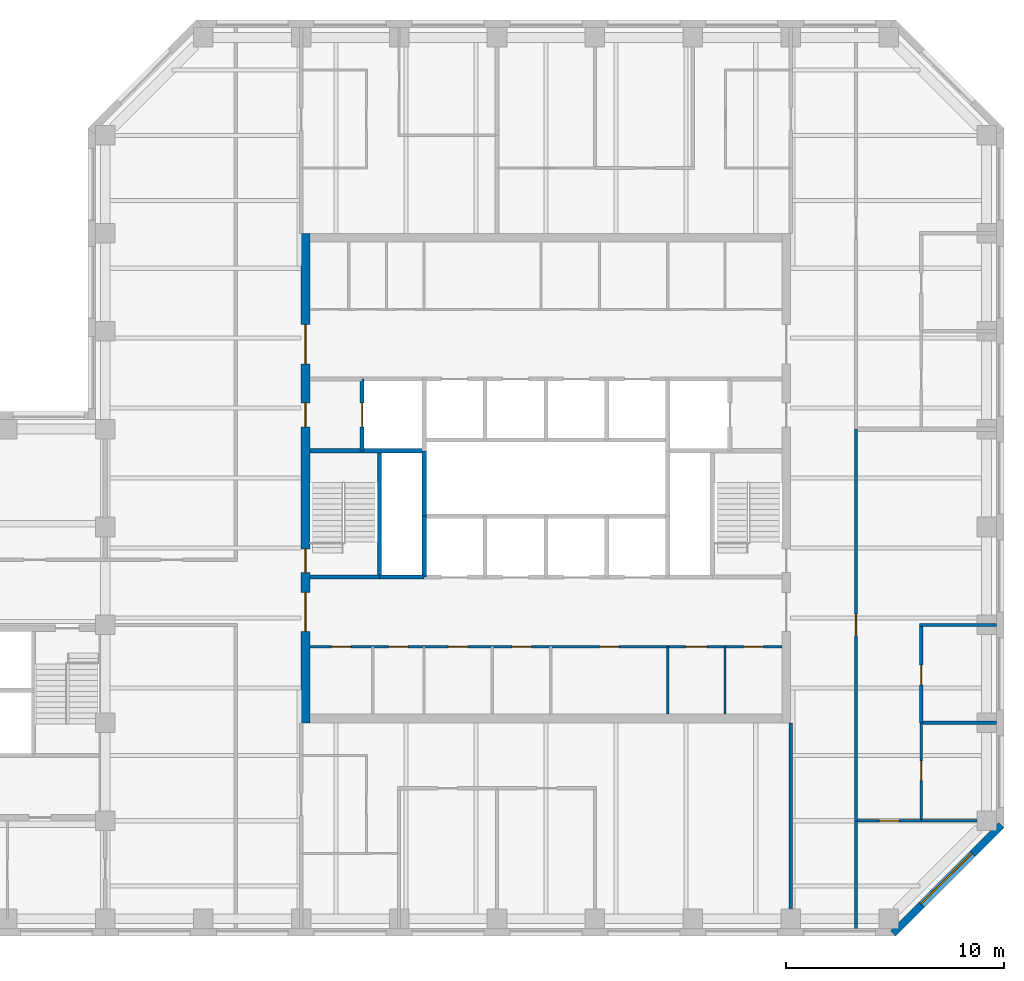
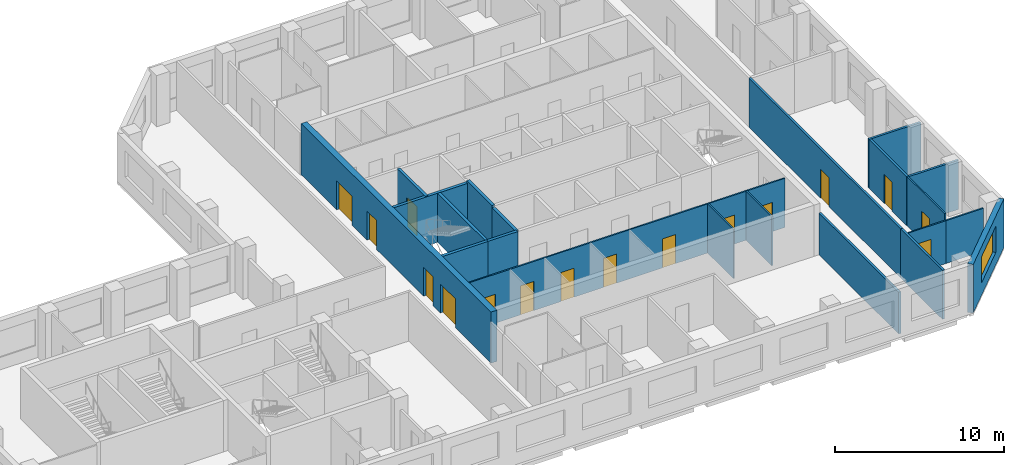
# One storey, part 5 of 9: 21 walls, 16 doors, 1 window, 17 openings.
"""IFC4 building model written with IfcOpenShell, lengths in metres."""

from ifc_helpers import new_model, si_unit, direction, frame, frame_2d, origin, place, context, subcontext, project, spatial, rectangle, extrude, material, layer, layer_set, constituent, constituent_set, type_object, element, fill, save


model = new_model("IFC4")

# Units and contexts
model_context = context("Model", 3, precision=1e-05, world=origin(), true_north=direction((0.0, 1.0)))
body_context = subcontext(model_context, "Body", "Model", "MODEL_VIEW")
ifc_project = project(units=[si_unit("LENGTHUNIT", "METRE"), si_unit("AREAUNIT", "SQUARE_METRE"), si_unit("VOLUMEUNIT", "CUBIC_METRE"), si_unit("PLANEANGLEUNIT", "RADIAN"), si_unit("MASSUNIT", "GRAM", prefix="KILO")], contexts=[model_context])

# Site, building, storey
site_placement = place(None, origin())
site = spatial("IfcSite", under=ifc_project, at=site_placement, CompositionType="ELEMENT")
building_placement = place(site_placement, origin())
building = spatial("IfcBuilding", under=site, at=building_placement, Name="Quoin Convention Tower", CompositionType="ELEMENT")
storey_placement = place(building_placement, frame((0.0, 0.0, 248.89990234375)))
storey = spatial("IfcBuildingStorey", under=building, at=storey_placement, Name="L65", CompositionType="ELEMENT", Elevation=248.89990234375)

# Walls
ifc_material_1 = material(Name="Plasterboard")
ifc_layer_1 = layer(ifc_material_1, 0.012451171875, Name="Finish")
ifc_material_2 = material(Name="Steel stud framing", Category="steel")
ifc_layer_2 = layer(ifc_material_2, 0.125, Name="Structure")
ifc_layer_3 = layer(ifc_material_1, 0.012451171875, Name="Finish")
ifc_layer_set_1 = layer_set([ifc_layer_1, ifc_layer_2, ifc_layer_3], Name="Steel stud framing")
wall_type_1 = type_object("IfcWallType", Name="Acoustic partition 150", PredefinedType="PARTITIONING", material=ifc_layer_set_1)
wall_1_placement = place(storey_placement, frame((73.574951171875, 49.5, 0.0), z_axis=(0.0, 0.0, 1.0), x_axis=(1.0, 0.0, 0.0)))
element("IfcWall", 1, at=wall_1_placement, inside=storey, type_object=wall_type_1, Name="pw-L65-013", PredefinedType="PARTITIONING", context=body_context, shape_type="SweptSolid", body=[
    extrude(rectangle(XDim=3.375, YDim=0.14990234375, at=frame_2d((1.6875, 0.0))), origin(), (0.0, 0.0, 1.0), 3.550048828125),
])
wall_2_placement = place(storey_placement, frame((73.425048828125, 54.0, 0.0), z_axis=(0.0, 0.0, 1.0), x_axis=(1.0, 0.0, 0.0)))
element("IfcWall", 2, at=wall_2_placement, inside=storey, type_object=wall_type_1, Name="pw-L65-017", PredefinedType="PARTITIONING", context=body_context, shape_type="SweptSolid", body=[
    extrude(rectangle(XDim=3.52490234375, YDim=0.14990234375, at=frame_2d((1.762451171875, 0.0))), origin(), (0.0, 0.0, 1.0), 3.550048828125),
])

# Wall, opening, door
wall_3_placement = place(storey_placement, frame((73.5, 49.5, 0.0), z_axis=(0.0, 0.0, 1.0), x_axis=(0.0, 1.0, 0.0)))
wall_3 = element("IfcWall", 3, at=wall_3_placement, inside=storey, type_object=wall_type_1, Name="pw-L65-054", PredefinedType="PARTITIONING", context=body_context, shape_type="SweptSolid", body=[
    extrude(rectangle(XDim=4.425048828125, YDim=0.14990234375, at=frame_2d((2.21240234375, 0.0))), origin(), (0.0, 0.0, 1.0), 3.550048828125),
])
opening_1_placement = place(wall_3_placement, frame((1.75, 0.0, 0.0)))
opening_1 = element("IfcOpeningElement", 4, at=opening_1_placement, cuts=wall_3, Name="Opening DOH12-14", PredefinedType="OPENING", context=body_context, shape_type="SweptSolid", body=[
    extrude(rectangle(XDim=0.89990234375, YDim=2.10009765625, at=frame_2d((0.449951171875, 1.050048828125))), frame((0.0, 0.0849609375, 0.0), z_axis=(0.0, -1.0, 0.0), x_axis=(1.0, 0.0, 0.0)), (0.0, 0.0, 1.0), 0.169921875),
])
ifc_material_3 = material(Name="Steel door leaf", Category="steel")
door_type_1 = type_object("IfcDoorType", Name="Office door 900 x 2100", OperationType="SINGLE_SWING_RIGHT", PredefinedType="DOOR", material=ifc_material_3)
door_1_placement = place(opening_1_placement, origin())
door_1 = element("IfcDoor", 5, at=door_1_placement, inside=storey, type_object=door_type_1, Name="dr-L65-26", OperationType="SINGLE_SWING_RIGHT", OverallHeight=2.10009765625, OverallWidth=0.89990234375, PredefinedType="DOOR", context=body_context, shape_type="SweptSolid", body=[
    extrude(rectangle(XDim=0.89990234375, YDim=2.10009765625, at=frame_2d((0.449951171875, 1.050048828125))), frame((0.0, 0.02490234375, 0.0), z_axis=(0.0, -1.0, 0.0), x_axis=(1.0, 0.0, 0.0)), (0.0, 0.0, 1.0), 0.050048828125),
])
fill(opening_1, door_1)

# Wall, opening, window
ifc_material_4 = material(Name="Brick masonry", Category="masonry")
ifc_layer_4 = layer(ifc_material_4, 0.35009765625)
ifc_layer_set_2 = layer_set([ifc_layer_4], Name="Brick masonry")
wall_type_2 = type_object("IfcWallType", Name="Brick facade wall", PredefinedType="STANDARD", material=ifc_layer_set_2)
wall_4_placement = place(storey_placement, frame((72.20751953125, 39.82373046875, 0.0), z_axis=(0.0, 0.0, 1.0), x_axis=(0.707106781187, 0.707106781187, 0.0)))
wall_4 = element("IfcWall", 6, at=wall_4_placement, inside=storey, type_object=wall_type_2, Name="fw-L65-72000_40500", PredefinedType="STANDARD", context=body_context, shape_type="SweptSolid", body=[
    extrude(rectangle(XDim=7.02685546875, YDim=0.35009765625, at=frame_2d((3.513427734375, 0.0))), origin(), (0.0, 0.0, 1.0), 3.525146484375),
])
opening_2_placement = place(wall_4_placement, frame((1.86328125, 0.0, 0.89990234375)))
opening_2 = element("IfcOpeningElement", 7, at=opening_2_placement, cuts=wall_4, Name="Opening W-02", PredefinedType="OPENING", context=body_context, shape_type="SweptSolid", body=[
    extrude(rectangle(XDim=3.300048828125, YDim=1.89990234375, at=frame_2d((1.64990234375, 0.949951171875))), frame((0.0, 0.18505859375, 0.0), z_axis=(0.0, -1.0, 0.0), x_axis=(1.0, 0.0, 0.0)), (0.0, 0.0, 1.0), 0.3701171875),
])
ifc_material_5 = material(Name="Aluminium", Category="aluminium")
ifc_constituent_1 = constituent(ifc_material_5, Name="Frame")
ifc_material_6 = material(Name="Insulated glass", Category="glass")
ifc_constituent_2 = constituent(ifc_material_6, Name="Glazing")
ifc_constituent_set = constituent_set(constituents=[ifc_constituent_1, ifc_constituent_2], Name="Aluminium")
window_type = type_object("IfcWindowType", Name="Office window", PartitioningType="DOUBLE_PANEL_VERTICAL", PredefinedType="WINDOW", material=ifc_constituent_set)
window_placement = place(opening_2_placement, origin())
window = element("IfcWindow", 8, at=window_placement, inside=storey, type_object=window_type, Name="win-L65-74692_42308", OverallHeight=1.89990234375, OverallWidth=3.300048828125, PartitioningType="SINGLE_PANEL", PredefinedType="WINDOW", context=body_context, shape_type="SweptSolid", body=[
    extrude(rectangle(XDim=3.300048828125, YDim=1.89990234375, at=frame_2d((1.64990234375, 0.949951171875))), frame((0.0, 0.0849609375, 0.0), z_axis=(0.0, -1.0, 0.0), x_axis=(1.0, 0.0, 0.0)), (0.0, 0.0, 1.0), 0.06005859375),
])
fill(opening_2, window)

# Wall, openings, doors
ifc_layer_5 = layer(ifc_material_1, 0.012451171875, Name="Finish")
ifc_layer_6 = layer(ifc_material_2, 0.074951171875, Name="Structure")
ifc_layer_7 = layer(ifc_material_1, 0.012451171875, Name="Finish")
ifc_layer_set_3 = layer_set([ifc_layer_5, ifc_layer_6, ifc_layer_7], Name="Steel stud framing")
wall_type_3 = type_object("IfcWallType", Name="Core partition wall", PredefinedType="PARTITIONING", material=ifc_layer_set_3)
wall_5_placement = place(storey_placement, frame((45.39990234375, 53.0, 0.0), z_axis=(0.0, 0.0, 1.0), x_axis=(1.0, 0.0, 0.0)))
wall_5 = element("IfcWall", 9, at=wall_5_placement, inside=storey, type_object=wall_type_3, Name="cr-C1-L65-h3500_400", PredefinedType="PARTITIONING", context=body_context, shape_type="SweptSolid", body=[
    extrude(rectangle(XDim=21.7001953125, YDim=0.10009765625, at=frame_2d((10.85009765625, 0.0))), origin(), (0.0, 0.0, 1.0), 3.550048828125),
])
opening_3_placement = place(wall_5_placement, frame((19.9375, 0.0, 0.0)))
opening_3 = element("IfcOpeningElement", 10, at=opening_3_placement, cuts=wall_5, Name="Opening DCV4-33", PredefinedType="OPENING", context=body_context, shape_type="SweptSolid", body=[
    extrude(rectangle(XDim=0.89990234375, YDim=2.10009765625, at=frame_2d((0.449951171875, 1.050048828125))), frame((0.0, 0.06005859375, 0.0), z_axis=(0.0, -1.0, 0.0), x_axis=(1.0, 0.0, 0.0)), (0.0, 0.0, 1.0), 0.1201171875),
])
opening_4_placement = place(wall_5_placement, frame((17.262451171875, 0.0, 0.0)))
opening_4 = element("IfcOpeningElement", 11, at=opening_4_placement, cuts=wall_5, Name="Opening DCV4-32", PredefinedType="OPENING", context=body_context, shape_type="SweptSolid", body=[
    extrude(rectangle(XDim=1.0, YDim=2.10009765625, at=frame_2d((0.5, 1.050048828125))), frame((0.0, 0.06005859375, 0.0), z_axis=(0.0, -1.0, 0.0), x_axis=(1.0, 0.0, 0.0)), (0.0, 0.0, 1.0), 0.1201171875),
])
opening_5_placement = place(wall_5_placement, frame((0.993896484375, 0.0, 0.0)))
opening_5 = element("IfcOpeningElement", 12, at=opening_5_placement, cuts=wall_5, Name="Opening DCV4-25", PredefinedType="OPENING", context=body_context, shape_type="SweptSolid", body=[
    extrude(rectangle(XDim=0.89990234375, YDim=2.10009765625, at=frame_2d((0.449951171875, 1.050048828125))), frame((0.0, 0.06005859375, 0.0), z_axis=(0.0, -1.0, 0.0), x_axis=(1.0, 0.0, 0.0)), (0.0, 0.0, 1.0), 0.1201171875),
])
opening_6_placement = place(wall_5_placement, frame((3.618896484375, 0.0, 0.0)))
opening_6 = element("IfcOpeningElement", 13, at=opening_6_placement, cuts=wall_5, Name="Opening DCV4-26", PredefinedType="OPENING", context=body_context, shape_type="SweptSolid", body=[
    extrude(rectangle(XDim=0.89990234375, YDim=2.10009765625, at=frame_2d((0.449951171875, 1.050048828125))), frame((0.0, 0.06005859375, 0.0), z_axis=(0.0, -1.0, 0.0), x_axis=(1.0, 0.0, 0.0)), (0.0, 0.0, 1.0), 0.1201171875),
])
opening_7_placement = place(wall_5_placement, frame((6.367919921875, 0.0, 0.0)))
opening_7 = element("IfcOpeningElement", 14, at=opening_7_placement, cuts=wall_5, Name="Opening DCV4-27", PredefinedType="OPENING", context=body_context, shape_type="SweptSolid", body=[
    extrude(rectangle(XDim=0.89990234375, YDim=2.10009765625, at=frame_2d((0.449951171875, 1.050048828125))), frame((0.0, 0.06005859375, 0.0), z_axis=(0.0, -1.0, 0.0), x_axis=(1.0, 0.0, 0.0)), (0.0, 0.0, 1.0), 0.1201171875),
])
opening_8_placement = place(wall_5_placement, frame((9.280029296875, 0.0, 0.0)))
opening_8 = element("IfcOpeningElement", 15, at=opening_8_placement, cuts=wall_5, Name="Opening DCV4-29", PredefinedType="OPENING", context=body_context, shape_type="SweptSolid", body=[
    extrude(rectangle(XDim=0.89990234375, YDim=2.10009765625, at=frame_2d((0.449951171875, 1.050048828125))), frame((0.0, 0.06005859375, 0.0), z_axis=(0.0, -1.0, 0.0), x_axis=(1.0, 0.0, 0.0)), (0.0, 0.0, 1.0), 0.1201171875),
])
opening_9_placement = place(wall_5_placement, frame((13.31201171875, 0.0, 0.0)))
opening_9 = element("IfcOpeningElement", 16, at=opening_9_placement, cuts=wall_5, Name="Opening DCV4-30", PredefinedType="OPENING", context=body_context, shape_type="SweptSolid", body=[
    extrude(rectangle(XDim=0.89990234375, YDim=2.10009765625, at=frame_2d((0.449951171875, 1.050048828125))), frame((0.0, 0.06005859375, 0.0), z_axis=(0.0, -1.0, 0.0), x_axis=(1.0, 0.0, 0.0)), (0.0, 0.0, 1.0), 0.1201171875),
])
door_type_2 = type_object("IfcDoorType", Name="Core room door 1000 x 2100", OperationType="SINGLE_SWING_LEFT", PredefinedType="DOOR", material=ifc_material_3)
door_2_placement = place(opening_4_placement, frame((1.0, 0.0, 0.0), z_axis=(0.0, 0.0, 1.0), x_axis=(-1.0, 0.0, 0.0)))
door_2 = element("IfcDoor", 17, at=door_2_placement, inside=storey, type_object=door_type_2, Name="cd-C1-L65-CSE1-lobA-CD6513", OperationType="SINGLE_SWING_LEFT", OverallHeight=2.10009765625, OverallWidth=1.0, PredefinedType="DOOR", context=body_context, shape_type="SweptSolid", body=[
    extrude(rectangle(XDim=1.0, YDim=2.10009765625, at=frame_2d((0.5, 1.050048828125))), frame((0.0, 0.02490234375, 0.0), z_axis=(0.0, -1.0, 0.0), x_axis=(1.0, 0.0, 0.0)), (0.0, 0.0, 1.0), 0.050048828125),
])
fill(opening_4, door_2)
door_type_3 = type_object("IfcDoorType", Name="Core room door 900 x 2100", OperationType="SINGLE_SWING_LEFT", PredefinedType="DOOR", material=ifc_material_3)
door_3_placement = place(opening_3_placement, frame((0.89990234375, 0.0, 0.0), z_axis=(0.0, 0.0, 1.0), x_axis=(-1.0, 0.0, 0.0)))
door_3 = element("IfcDoor", 18, at=door_3_placement, inside=storey, type_object=door_type_3, Name="cd-C1-L65-CSE0-lobA-CD6512", OperationType="SINGLE_SWING_LEFT", OverallHeight=2.10009765625, OverallWidth=0.89990234375, PredefinedType="DOOR", context=body_context, shape_type="SweptSolid", body=[
    extrude(rectangle(XDim=0.89990234375, YDim=2.10009765625, at=frame_2d((0.449951171875, 1.050048828125))), frame((0.0, 0.02490234375, 0.0), z_axis=(0.0, -1.0, 0.0), x_axis=(1.0, 0.0, 0.0)), (0.0, 0.0, 1.0), 0.050048828125),
])
fill(opening_3, door_3)
door_4_placement = place(opening_5_placement, frame((0.89990234375, 0.0, 0.0), z_axis=(0.0, 0.0, 1.0), x_axis=(-1.0, 0.0, 0.0)))
door_4 = element("IfcDoor", 19, at=door_4_placement, inside=storey, type_object=door_type_3, Name="cd-C1-L65-CSW0-lobA-CD6514", OperationType="SINGLE_SWING_LEFT", OverallHeight=2.10009765625, OverallWidth=0.89990234375, PredefinedType="DOOR", context=body_context, shape_type="SweptSolid", body=[
    extrude(rectangle(XDim=0.89990234375, YDim=2.10009765625, at=frame_2d((0.449951171875, 1.050048828125))), frame((0.0, 0.02490234375, 0.0), z_axis=(0.0, -1.0, 0.0), x_axis=(1.0, 0.0, 0.0)), (0.0, 0.0, 1.0), 0.050048828125),
])
fill(opening_5, door_4)
door_5_placement = place(opening_6_placement, frame((0.89990234375, 0.0, 0.0), z_axis=(0.0, 0.0, 1.0), x_axis=(-1.0, 0.0, 0.0)))
door_5 = element("IfcDoor", 20, at=door_5_placement, inside=storey, type_object=door_type_3, Name="cd-C1-L65-CSW1-lobA-CD6515", OperationType="SINGLE_SWING_LEFT", OverallHeight=2.10009765625, OverallWidth=0.89990234375, PredefinedType="DOOR", context=body_context, shape_type="SweptSolid", body=[
    extrude(rectangle(XDim=0.89990234375, YDim=2.10009765625, at=frame_2d((0.449951171875, 1.050048828125))), frame((0.0, 0.02490234375, 0.0), z_axis=(0.0, -1.0, 0.0), x_axis=(1.0, 0.0, 0.0)), (0.0, 0.0, 1.0), 0.050048828125),
])
fill(opening_6, door_5)
door_6_placement = place(opening_7_placement, frame((0.89990234375, 0.0, 0.0), z_axis=(0.0, 0.0, 1.0), x_axis=(-1.0, 0.0, 0.0)))
door_6 = element("IfcDoor", 21, at=door_6_placement, inside=storey, type_object=door_type_3, Name="cd-C1-L65-F10-lobA-CD6516", OperationType="SINGLE_SWING_LEFT", OverallHeight=2.10009765625, OverallWidth=0.89990234375, PredefinedType="DOOR", context=body_context, shape_type="SweptSolid", body=[
    extrude(rectangle(XDim=0.89990234375, YDim=2.10009765625, at=frame_2d((0.449951171875, 1.050048828125))), frame((0.0, 0.02490234375, 0.0), z_axis=(0.0, -1.0, 0.0), x_axis=(1.0, 0.0, 0.0)), (0.0, 0.0, 1.0), 0.050048828125),
])
fill(opening_7, door_6)
door_7_placement = place(opening_8_placement, frame((0.89990234375, 0.0, 0.0), z_axis=(0.0, 0.0, 1.0), x_axis=(-1.0, 0.0, 0.0)))
door_7 = element("IfcDoor", 22, at=door_7_placement, inside=storey, type_object=door_type_3, Name="cd-C1-L65-F11-lobA-CD6517", OperationType="SINGLE_SWING_LEFT", OverallHeight=2.10009765625, OverallWidth=0.89990234375, PredefinedType="DOOR", context=body_context, shape_type="SweptSolid", body=[
    extrude(rectangle(XDim=0.89990234375, YDim=2.10009765625, at=frame_2d((0.449951171875, 1.050048828125))), frame((0.0, 0.02490234375, 0.0), z_axis=(0.0, -1.0, 0.0), x_axis=(1.0, 0.0, 0.0)), (0.0, 0.0, 1.0), 0.050048828125),
])
fill(opening_8, door_7)
door_8_placement = place(opening_9_placement, frame((0.89990234375, 0.0, 0.0), z_axis=(0.0, 0.0, 1.0), x_axis=(-1.0, 0.0, 0.0)))
door_8 = element("IfcDoor", 23, at=door_8_placement, inside=storey, type_object=door_type_3, Name="cd-C1-L65-F12-lobA-CD6518", OperationType="SINGLE_SWING_LEFT", OverallHeight=2.10009765625, OverallWidth=0.89990234375, PredefinedType="DOOR", context=body_context, shape_type="SweptSolid", body=[
    extrude(rectangle(XDim=0.89990234375, YDim=2.10009765625, at=frame_2d((0.449951171875, 1.050048828125))), frame((0.0, 0.02490234375, 0.0), z_axis=(0.0, -1.0, 0.0), x_axis=(1.0, 0.0, 0.0)), (0.0, 0.0, 1.0), 0.050048828125),
])
fill(opening_9, door_8)

# Walls
for number, where, z_axis, x_axis, name in (
    (24, (61.85009765625, 49.89990234375, 0.0), (0.0, 0.0, 1.0), (0.0, 1.0, 0.0), "cr-C1-L65-v16850_400"),
    (25, (64.47509765625, 49.89990234375, 0.0), (0.0, 0.0, 1.0), (0.0, 1.0, 0.0), "cr-C1-L65-v19475_400"),
):
    element("IfcWall", number, at=place(storey_placement, frame(where, z_axis=z_axis, x_axis=x_axis)), inside=storey, type_object=wall_type_3, Name=name, PredefinedType="PARTITIONING", context=body_context, shape_type="SweptSolid", body=[
        extrude(rectangle(XDim=3.10009765625, YDim=0.10009765625, at=frame_2d((1.550048828125, 0.0))), origin(), (0.0, 0.0, 1.0), 3.550048828125),
    ])
ifc_material_7 = material(Name="Concrete C50", Category="concrete")
ifc_layer_8 = layer(ifc_material_7, 0.199951171875)
ifc_layer_set_4 = layer_set([ifc_layer_8], Name="Concrete C50")
wall_type_4 = type_object("IfcWallType", Name="Core shaft wall", PredefinedType="SOLIDWALL", material=ifc_layer_set_4)
wall_6_placement = place(storey_placement, frame((48.60009765625, 56.199951171875, 0.0), z_axis=(0.0, 0.0, 1.0), x_axis=(1.0, 0.0, 0.0)))
element("IfcWall", 26, at=wall_6_placement, inside=storey, type_object=wall_type_4, Name="cr-C1-L65-h6700_3600", PredefinedType="SOLIDWALL", context=body_context, shape_type="SweptSolid", body=[
    extrude(rectangle(XDim=2.0498046875, YDim=0.199951171875, at=frame_2d((1.02490234375, 0.0))), origin(), (0.0, 0.0, 1.0), 3.550048828125),
])
wall_7_placement = place(storey_placement, frame((45.39990234375, 56.199951171875, 0.0), z_axis=(0.0, 0.0, 1.0), x_axis=(1.0, 0.0, 0.0)))
element("IfcWall", 27, at=wall_7_placement, inside=storey, type_object=wall_type_4, Name="cr-C1-L65-h6700_400", PredefinedType="SOLIDWALL", context=body_context, shape_type="SweptSolid", body=[
    extrude(rectangle(XDim=3.2001953125, YDim=0.199951171875, at=frame_2d((1.60009765625, 0.0))), origin(), (0.0, 0.0, 1.0), 3.550048828125),
])
wall_8_placement = place(storey_placement, frame((45.39990234375, 62.0, 0.0), z_axis=(0.0, 0.0, 1.0), x_axis=(1.0, 0.0, 0.0)))
element("IfcWall", 28, at=wall_8_placement, inside=storey, type_object=wall_type_4, Name="cr-C1-L65-h12500_400", PredefinedType="SOLIDWALL", context=body_context, shape_type="SweptSolid", body=[
    extrude(rectangle(XDim=5.25, YDim=0.199951171875, at=frame_2d((2.625, 0.0))), origin(), (0.0, 0.0, 1.0), 3.550048828125),
])

# Wall, opening, door
wall_9_placement = place(storey_placement, frame((47.800048828125, 62.0, 0.0), z_axis=(0.0, 0.0, 1.0), x_axis=(0.0, 1.0, 0.0)))
wall_9 = element("IfcWall", 29, at=wall_9_placement, inside=storey, type_object=wall_type_4, Name="cr-C1-L65-v2800_12500", PredefinedType="SOLIDWALL", context=body_context, shape_type="SweptSolid", body=[
    extrude(rectangle(XDim=3.300048828125, YDim=0.199951171875, at=frame_2d((1.64990234375, 0.0))), origin(), (0.0, 0.0, 1.0), 3.550048828125),
])
opening_10_placement = place(wall_9_placement, frame((1.10009765625, 0.0, 0.0)))
opening_10 = element("IfcOpeningElement", 30, at=opening_10_placement, cuts=wall_9, Name="Opening LDFL1", PredefinedType="OPENING", context=body_context, shape_type="SweptSolid", body=[
    extrude(rectangle(XDim=1.10009765625, YDim=2.10009765625, at=frame_2d((0.550048828125, 1.050048828125))), frame((0.0, 0.10986328125, 0.0), z_axis=(0.0, -1.0, 0.0), x_axis=(1.0, 0.0, 0.0)), (0.0, 0.0, 1.0), 0.219970703125),
])
door_type_4 = type_object("IfcDoorType", Name="Lift landing door 1100 x 2100", OperationType="DOUBLE_DOOR_SLIDING", PredefinedType="DOOR", material=ifc_material_3)
door_9_placement = place(opening_10_placement, origin())
door_9 = element("IfcDoor", 31, at=door_9_placement, inside=storey, type_object=door_type_4, Name="cd-C1-L65-FLW-FFW-LDFL1", OperationType="DOUBLE_DOOR_SLIDING", OverallHeight=2.10009765625, OverallWidth=1.10009765625, PredefinedType="DOOR", context=body_context, shape_type="SweptSolid", body=[
    extrude(rectangle(XDim=1.10009765625, YDim=2.10009765625, at=frame_2d((0.550048828125, 1.050048828125))), frame((0.0, 0.02490234375, 0.0), z_axis=(0.0, -1.0, 0.0), x_axis=(1.0, 0.0, 0.0)), (0.0, 0.0, 1.0), 0.050048828125),
])
fill(opening_10, door_9)

# Walls
wall_10_placement = place(storey_placement, frame((48.60009765625, 56.199951171875, 0.0), z_axis=(0.0, 0.0, 1.0), x_axis=(0.0, 1.0, 0.0)))
element("IfcWall", 32, at=wall_10_placement, inside=storey, type_object=wall_type_4, Name="cr-C1-L65-v3600_6700", PredefinedType="SOLIDWALL", context=body_context, shape_type="SweptSolid", body=[
    extrude(rectangle(XDim=5.800048828125, YDim=0.199951171875, at=frame_2d((2.89990234375, 0.0))), origin(), (0.0, 0.0, 1.0), 3.550048828125),
])
wall_11_placement = place(storey_placement, frame((50.64990234375, 56.199951171875, 0.0), z_axis=(0.0, 0.0, 1.0), x_axis=(0.0, 1.0, 0.0)))
element("IfcWall", 33, at=wall_11_placement, inside=storey, type_object=wall_type_4, Name="cr-C1-L65-v5650_6700", PredefinedType="SOLIDWALL", context=body_context, shape_type="SweptSolid", body=[
    extrude(rectangle(XDim=2.800048828125, YDim=0.199951171875, at=frame_2d((1.39990234375, 0.0))), origin(), (0.0, 0.0, 1.0), 3.550048828125),
])
ifc_layer_9 = layer(ifc_material_7, 0.199951171875)
ifc_layer_set_5 = layer_set([ifc_layer_9], Name="Concrete C50")
wall_type_5 = type_object("IfcWallType", Name="Core shaft wall to the floor level over", PredefinedType="SOLIDWALL", material=ifc_layer_set_5)
wall_12_placement = place(storey_placement, frame((50.64990234375, 59.0, 0.0), z_axis=(0.0, 0.0, 1.0), x_axis=(0.0, 1.0, 0.0)))
element("IfcWall", 34, at=wall_12_placement, inside=storey, type_object=wall_type_5, Name="cr-C1-L65-v5650_9500", PredefinedType="SOLIDWALL", context=body_context, shape_type="SweptSolid", body=[
    extrude(rectangle(XDim=3.0, YDim=0.199951171875, at=frame_2d((1.5, 0.0))), origin(), (0.0, 0.0, 1.0), 3.7001953125),
])
ifc_layer_10 = layer(ifc_material_1, 0.012451171875, Name="Finish")
ifc_layer_11 = layer(ifc_material_2, 0.125, Name="Structure")
ifc_layer_12 = layer(ifc_material_1, 0.012451171875, Name="Finish")
ifc_layer_set_6 = layer_set([ifc_layer_10, ifc_layer_11, ifc_layer_12], Name="Steel stud framing")
wall_type_6 = type_object("IfcWallType", Name="Corridor wall 150", PredefinedType="PARTITIONING", material=ifc_layer_set_6)
wall_13_placement = place(storey_placement, frame((70.5, 40.050048828125, 0.0), z_axis=(0.0, 0.0, 1.0), x_axis=(0.0, 1.0, 0.0)))
element("IfcWall", 35, at=wall_13_placement, inside=storey, type_object=wall_type_6, Name="pw-L65-040", PredefinedType="PARTITIONING", context=body_context, shape_type="SweptSolid", body=[
    extrude(rectangle(XDim=4.949951171875, YDim=0.14990234375, at=frame_2d((2.47509765625, 0.0))), origin(), (0.0, 0.0, 1.0), 3.550048828125),
])

# Wall, opening, door
wall_14_placement = place(storey_placement, frame((70.5, 45.0, 0.0), z_axis=(0.0, 0.0, 1.0), x_axis=(0.0, 1.0, 0.0)))
wall_14 = element("IfcWall", 36, at=wall_14_placement, inside=storey, type_object=wall_type_6, Name="pw-L65-047", PredefinedType="PARTITIONING", context=body_context, shape_type="SweptSolid", body=[
    extrude(rectangle(XDim=18.0, YDim=0.14990234375, at=frame_2d((9.0, 0.0))), origin(), (0.0, 0.0, 1.0), 3.550048828125),
])
opening_11_placement = place(wall_14_placement, frame((8.5, 0.0, 0.0)))
opening_11 = element("IfcOpeningElement", 37, at=opening_11_placement, cuts=wall_14, Name="Opening DOH12-12", PredefinedType="OPENING", context=body_context, shape_type="SweptSolid", body=[
    extrude(rectangle(XDim=1.0, YDim=2.10009765625, at=frame_2d((0.5, 1.050048828125))), frame((0.0, 0.0849609375, 0.0), z_axis=(0.0, -1.0, 0.0), x_axis=(1.0, 0.0, 0.0)), (0.0, 0.0, 1.0), 0.169921875),
])
door_type_5 = type_object("IfcDoorType", Name="Tenancy entrance door 1000 x 2100", OperationType="DOUBLE_DOOR_SINGLE_SWING", PredefinedType="DOOR", material=ifc_material_3)
door_10_placement = place(opening_11_placement, frame((1.0, 0.0, 0.0), z_axis=(0.0, 0.0, 1.0), x_axis=(-1.0, 0.0, 0.0)))
door_10 = element("IfcDoor", 38, at=door_10_placement, inside=storey, type_object=door_type_5, Name="dr-L65-23", OperationType="DOUBLE_DOOR_SINGLE_SWING", OverallHeight=2.10009765625, OverallWidth=1.0, PredefinedType="DOOR", context=body_context, shape_type="SweptSolid", body=[
    extrude(rectangle(XDim=1.0, YDim=2.10009765625, at=frame_2d((0.5, 1.050048828125))), frame((0.0, 0.02490234375, 0.0), z_axis=(0.0, -1.0, 0.0), x_axis=(1.0, 0.0, 0.0)), (0.0, 0.0, 1.0), 0.050048828125),
])
fill(opening_11, door_10)

# Wall
ifc_layer_13 = layer(ifc_material_1, 0.012451171875, Name="Finish")
ifc_layer_14 = layer(ifc_material_2, 0.125, Name="Structure")
ifc_layer_15 = layer(ifc_material_1, 0.012451171875, Name="Finish")
ifc_layer_set_7 = layer_set([ifc_layer_13, ifc_layer_14, ifc_layer_15], Name="Steel stud framing")
wall_type_7 = type_object("IfcWallType", Name="Corridor wall 150 under beam 528", PredefinedType="PARTITIONING", material=ifc_layer_set_7)
wall_15_placement = place(storey_placement, frame((67.5, 40.050048828125, 0.0), z_axis=(0.0, 0.0, 1.0), x_axis=(0.0, 1.0, 0.0)))
element("IfcWall", 39, at=wall_15_placement, inside=storey, type_object=wall_type_7, Name="pw-L65-039", PredefinedType="PARTITIONING", context=body_context, shape_type="SweptSolid", body=[
    extrude(rectangle(XDim=9.449951171875, YDim=0.14990234375, at=frame_2d((4.72509765625, 0.0))), origin(), (0.0, 0.0, 1.0), 3.022216796875),
])

# Wall, openings, doors
ifc_layer_16 = layer(ifc_material_7, 0.39990234375)
ifc_layer_set_8 = layer_set([ifc_layer_16], Name="Concrete C50")
wall_type_8 = type_object("IfcWallType", Name="RC CORE WALL 400 C50", PredefinedType="SHEAR", material=ifc_layer_set_8)
wall_16_placement = place(storey_placement, frame((45.199951171875, 49.5, 0.0), z_axis=(0.0, 0.0, 1.0), x_axis=(0.0, 1.0, 0.0)))
wall_16 = element("IfcWall", 40, at=wall_16_placement, inside=storey, type_object=wall_type_8, Name="cwl-C1-L65-W", PredefinedType="SHEAR", context=body_context, shape_type="SweptSolid", body=[
    extrude(rectangle(XDim=22.5, YDim=0.39990234375, at=frame_2d((11.25, 0.0))), origin(), (0.0, 0.0, 1.0), 3.7001953125),
])
opening_12_placement = place(wall_16_placement, frame((4.199951171875, 0.0, 0.0)))
opening_12 = element("IfcOpeningElement", 41, at=opening_12_placement, cuts=wall_16, Name="Opening DCV4-41", PredefinedType="OPENING", context=body_context, shape_type="SweptSolid", body=[
    extrude(rectangle(XDim=1.800048828125, YDim=2.10009765625, at=frame_2d((0.89990234375, 1.050048828125))), frame((0.0, 0.2099609375, 0.0), z_axis=(0.0, -1.0, 0.0), x_axis=(1.0, 0.0, 0.0)), (0.0, 0.0, 1.0), 0.419921875),
])
opening_13_placement = place(wall_16_placement, frame((6.89990234375, 0.0, 0.0)))
opening_13 = element("IfcOpeningElement", 42, at=opening_13_placement, cuts=wall_16, Name="Opening SD1", PredefinedType="OPENING", context=body_context, shape_type="SweptSolid", body=[
    extrude(rectangle(XDim=1.10009765625, YDim=2.10009765625, at=frame_2d((0.550048828125, 1.050048828125))), frame((0.0, 0.2099609375, 0.0), z_axis=(0.0, -1.0, 0.0), x_axis=(1.0, 0.0, 0.0)), (0.0, 0.0, 1.0), 0.419921875),
])
opening_14_placement = place(wall_16_placement, frame((13.60009765625, 0.0, 0.0)))
opening_14 = element("IfcOpeningElement", 43, at=opening_14_placement, cuts=wall_16, Name="Opening DCV4-40", PredefinedType="OPENING", context=body_context, shape_type="SweptSolid", body=[
    extrude(rectangle(XDim=1.10009765625, YDim=2.10009765625, at=frame_2d((0.550048828125, 1.050048828125))), frame((0.0, 0.2099609375, 0.0), z_axis=(0.0, -1.0, 0.0), x_axis=(1.0, 0.0, 0.0)), (0.0, 0.0, 1.0), 0.419921875),
])
opening_15_placement = place(wall_16_placement, frame((16.5, 0.0, 0.0)))
opening_15 = element("IfcOpeningElement", 44, at=opening_15_placement, cuts=wall_16, Name="Opening DCV4-41", PredefinedType="OPENING", context=body_context, shape_type="SweptSolid", body=[
    extrude(rectangle(XDim=1.800048828125, YDim=2.10009765625, at=frame_2d((0.89990234375, 1.050048828125))), frame((0.0, 0.2099609375, 0.0), z_axis=(0.0, -1.0, 0.0), x_axis=(1.0, 0.0, 0.0)), (0.0, 0.0, 1.0), 0.419921875),
])
door_type_6 = type_object("IfcDoorType", Name="Fire-fighting lobby door 1100 x 2100", OperationType="SINGLE_SWING_LEFT", PredefinedType="DOOR", material=ifc_material_3)
door_11_placement = place(opening_14_placement, frame((1.10009765625, 0.0, 0.0), z_axis=(0.0, 0.0, 1.0), x_axis=(-1.0, 0.0, 0.0)))
door_11 = element("IfcDoor", 45, at=door_11_placement, inside=storey, type_object=door_type_6, Name="cd-C1-L65-FFW-W", OperationType="SINGLE_SWING_LEFT", OverallHeight=2.10009765625, OverallWidth=1.10009765625, PredefinedType="DOOR", context=body_context, shape_type="SweptSolid", body=[
    extrude(rectangle(XDim=1.10009765625, YDim=2.10009765625, at=frame_2d((0.550048828125, 1.050048828125))), frame((0.0, 0.02490234375, 0.0), z_axis=(0.0, -1.0, 0.0), x_axis=(1.0, 0.0, 0.0)), (0.0, 0.0, 1.0), 0.050048828125),
])
fill(opening_14, door_11)
door_type_7 = type_object("IfcDoorType", Name="Lift lobby door 1800 x 2100", OperationType="SINGLE_SWING_LEFT", PredefinedType="DOOR", material=ifc_material_3)
door_12_placement = place(opening_12_placement, frame((1.800048828125, 0.0, 0.0), z_axis=(0.0, 0.0, 1.0), x_axis=(-1.0, 0.0, 0.0)))
door_12 = element("IfcDoor", 46, at=door_12_placement, inside=storey, type_object=door_type_7, Name="cd-C1-L65-lobA-W", OperationType="SINGLE_SWING_LEFT", OverallHeight=2.10009765625, OverallWidth=1.800048828125, PredefinedType="DOOR", context=body_context, shape_type="SweptSolid", body=[
    extrude(rectangle(XDim=1.800048828125, YDim=2.10009765625, at=frame_2d((0.89990234375, 1.050048828125))), frame((0.0, 0.02490234375, 0.0), z_axis=(0.0, -1.0, 0.0), x_axis=(1.0, 0.0, 0.0)), (0.0, 0.0, 1.0), 0.050048828125),
])
fill(opening_12, door_12)
door_13_placement = place(opening_15_placement, frame((1.800048828125, 0.0, 0.0), z_axis=(0.0, 0.0, 1.0), x_axis=(-1.0, 0.0, 0.0)))
door_13 = element("IfcDoor", 47, at=door_13_placement, inside=storey, type_object=door_type_7, Name="cd-C1-L65-lobB-W", OperationType="SINGLE_SWING_LEFT", OverallHeight=2.10009765625, OverallWidth=1.800048828125, PredefinedType="DOOR", context=body_context, shape_type="SweptSolid", body=[
    extrude(rectangle(XDim=1.800048828125, YDim=2.10009765625, at=frame_2d((0.89990234375, 1.050048828125))), frame((0.0, 0.02490234375, 0.0), z_axis=(0.0, -1.0, 0.0), x_axis=(1.0, 0.0, 0.0)), (0.0, 0.0, 1.0), 0.050048828125),
])
fill(opening_15, door_13)
door_type_8 = type_object("IfcDoorType", Name="Stair door 1100 x 2100", OperationType="SINGLE_SWING_RIGHT", PredefinedType="DOOR", material=ifc_material_3)
door_14_placement = place(opening_13_placement, frame((1.10009765625, 0.0, 0.0), z_axis=(0.0, 0.0, 1.0), x_axis=(-1.0, 0.0, 0.0)))
door_14 = element("IfcDoor", 48, at=door_14_placement, inside=storey, type_object=door_type_8, Name="cd-C1-L65-STW-W", OperationType="SINGLE_SWING_RIGHT", OverallHeight=2.10009765625, OverallWidth=1.10009765625, PredefinedType="DOOR", context=body_context, shape_type="SweptSolid", body=[
    extrude(rectangle(XDim=1.10009765625, YDim=2.10009765625, at=frame_2d((0.550048828125, 1.050048828125))), frame((0.0, 0.02490234375, 0.0), z_axis=(0.0, -1.0, 0.0), x_axis=(1.0, 0.0, 0.0)), (0.0, 0.0, 1.0), 0.050048828125),
])
fill(opening_13, door_14)

# Wall, opening, door
ifc_layer_17 = layer(ifc_material_1, 0.012451171875, Name="Finish")
ifc_layer_18 = layer(ifc_material_2, 0.074951171875, Name="Structure")
ifc_layer_19 = layer(ifc_material_1, 0.012451171875, Name="Finish")
ifc_layer_set_9 = layer_set([ifc_layer_17, ifc_layer_18, ifc_layer_19], Name="Steel stud framing")
wall_type_9 = type_object("IfcWallType", Name="Stud partition 100", PredefinedType="PARTITIONING", material=ifc_layer_set_9)
wall_17_placement = place(storey_placement, frame((73.5, 45.050048828125, 0.0), z_axis=(0.0, 0.0, 1.0), x_axis=(0.0, 1.0, 0.0)))
wall_17 = element("IfcWall", 49, at=wall_17_placement, inside=storey, type_object=wall_type_9, Name="pw-L65-049", PredefinedType="PARTITIONING", context=body_context, shape_type="SweptSolid", body=[
    extrude(rectangle(XDim=4.449951171875, YDim=0.10009765625, at=frame_2d((2.22509765625, 0.0))), origin(), (0.0, 0.0, 1.0), 3.550048828125),
])
opening_16_placement = place(wall_17_placement, frame((1.800048828125, 0.0, 0.0)))
opening_16 = element("IfcOpeningElement", 50, at=opening_16_placement, cuts=wall_17, Name="Opening DOH12-13", PredefinedType="OPENING", context=body_context, shape_type="SweptSolid", body=[
    extrude(rectangle(XDim=0.89990234375, YDim=2.10009765625, at=frame_2d((0.449951171875, 1.050048828125))), frame((0.0, 0.06005859375, 0.0), z_axis=(0.0, -1.0, 0.0), x_axis=(1.0, 0.0, 0.0)), (0.0, 0.0, 1.0), 0.1201171875),
])
door_15_placement = place(opening_16_placement, origin())
door_15 = element("IfcDoor", 51, at=door_15_placement, inside=storey, type_object=door_type_1, Name="dr-L65-25", OperationType="SINGLE_SWING_RIGHT", OverallHeight=2.10009765625, OverallWidth=0.89990234375, PredefinedType="DOOR", context=body_context, shape_type="SweptSolid", body=[
    extrude(rectangle(XDim=0.89990234375, YDim=2.10009765625, at=frame_2d((0.449951171875, 1.050048828125))), frame((0.0, 0.02490234375, 0.0), z_axis=(0.0, -1.0, 0.0), x_axis=(1.0, 0.0, 0.0)), (0.0, 0.0, 1.0), 0.050048828125),
])
fill(opening_16, door_15)

ifc_layer_20 = layer(ifc_material_1, 0.012451171875, Name="Finish")
ifc_layer_21 = layer(ifc_material_2, 0.074951171875, Name="Structure")
ifc_layer_22 = layer(ifc_material_1, 0.012451171875, Name="Finish")
ifc_layer_set_10 = layer_set([ifc_layer_20, ifc_layer_21, ifc_layer_22], Name="Steel stud framing")
wall_type_10 = type_object("IfcWallType", Name="Stud partition 100 under beam 454", PredefinedType="PARTITIONING", material=ifc_layer_set_10)
wall_18_placement = place(storey_placement, frame((70.574951171875, 45.0, 0.0), z_axis=(0.0, 0.0, 1.0), x_axis=(1.0, 0.0, 0.0)))
wall_18 = element("IfcWall", 52, at=wall_18_placement, inside=storey, type_object=wall_type_10, Name="pw-L65-006", PredefinedType="PARTITIONING", context=body_context, shape_type="SweptSolid", body=[
    extrude(rectangle(XDim=2.925048828125, YDim=0.10009765625, at=frame_2d((1.46240234375, 0.0))), origin(), (0.0, 0.0, 1.0), 3.09619140625),
])
opening_17_placement = place(wall_18_placement, frame((1.0, 0.0, 0.0)))
opening_17 = element("IfcOpeningElement", 53, at=opening_17_placement, cuts=wall_18, Name="Opening DOH12-02", PredefinedType="OPENING", context=body_context, shape_type="SweptSolid", body=[
    extrude(rectangle(XDim=0.89990234375, YDim=2.10009765625, at=frame_2d((0.449951171875, 1.050048828125))), frame((0.0, 0.06005859375, 0.0), z_axis=(0.0, -1.0, 0.0), x_axis=(1.0, 0.0, 0.0)), (0.0, 0.0, 1.0), 0.1201171875),
])
door_16_placement = place(opening_17_placement, origin())
door_16 = element("IfcDoor", 54, at=door_16_placement, inside=storey, type_object=door_type_1, Name="dr-L65-24", OperationType="SINGLE_SWING_RIGHT", OverallHeight=2.10009765625, OverallWidth=0.89990234375, PredefinedType="DOOR", context=body_context, shape_type="SweptSolid", body=[
    extrude(rectangle(XDim=0.89990234375, YDim=2.10009765625, at=frame_2d((0.449951171875, 1.050048828125))), frame((0.0, 0.02490234375, 0.0), z_axis=(0.0, -1.0, 0.0), x_axis=(1.0, 0.0, 0.0)), (0.0, 0.0, 1.0), 0.050048828125),
])
fill(opening_17, door_16)

# Wall
wall_19_placement = place(storey_placement, frame((73.5, 45.0, 0.0), z_axis=(0.0, 0.0, 1.0), x_axis=(1.0, 0.0, 0.0)))
element("IfcWall", 55, at=wall_19_placement, inside=storey, type_object=wall_type_10, Name="pw-L65-007", PredefinedType="PARTITIONING", context=body_context, shape_type="SweptSolid", body=[
    extrude(rectangle(XDim=2.550048828125, YDim=0.10009765625, at=frame_2d((1.27490234375, 0.0))), origin(), (0.0, 0.0, 1.0), 3.09619140625),
])

save(model, "model.ifc")
